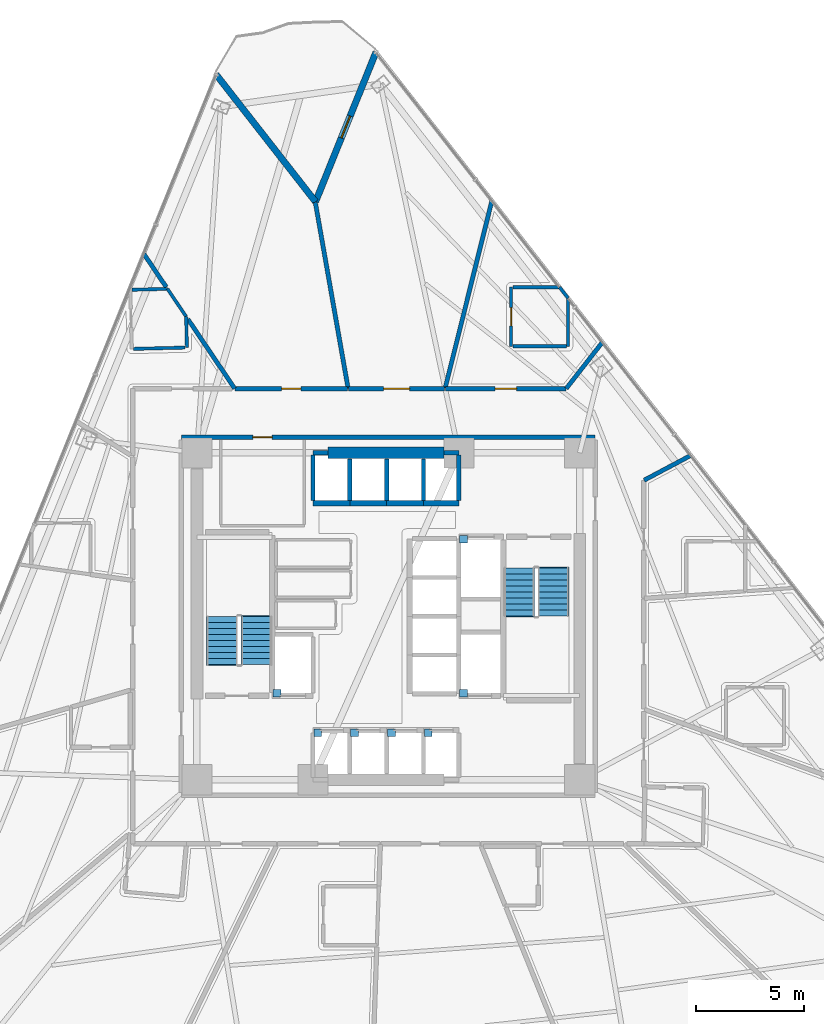
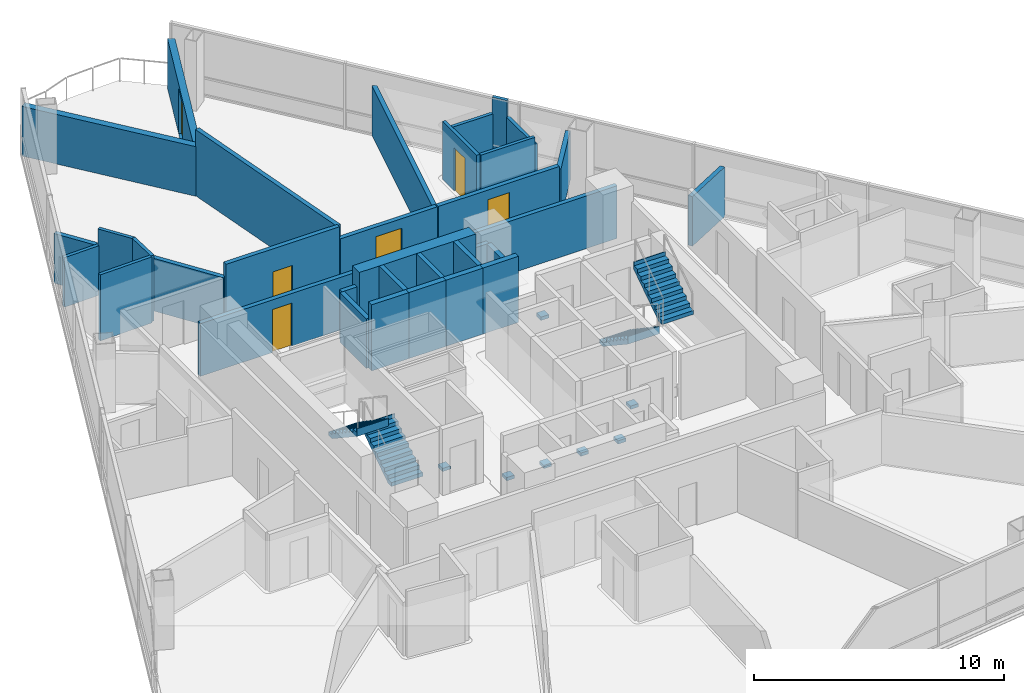
# One storey, part 10 of 15: 33 walls, 7 discrete accessories, 6 doors, 4 stair flights, 6 openings, 2 elements without a shape of their own.
"""IFC4 building model written with IfcOpenShell, lengths in metres."""

from ifc_helpers import new_model, si_unit, direction, frame, frame_2d, origin, origin_2d, place, context, subcontext, project, spatial, polyline, rectangle, outline, extrude, material, layer, layer_set, type_object, element, fill, aggregate, save


model = new_model("IFC4")

# Units and contexts
model_context = context("Model", 3, precision=1e-05, world=origin(), true_north=direction((0.0, 1.0)))
body_context = subcontext(model_context, "Body", "Model", "MODEL_VIEW")
ifc_project = project(units=[si_unit("LENGTHUNIT", "METRE"), si_unit("AREAUNIT", "SQUARE_METRE"), si_unit("VOLUMEUNIT", "CUBIC_METRE"), si_unit("PLANEANGLEUNIT", "RADIAN"), si_unit("MASSUNIT", "GRAM", prefix="KILO")], contexts=[model_context])

# Site, building, storey
site_placement = place(None, origin())
site = spatial("IfcSite", under=ifc_project, at=site_placement, CompositionType="ELEMENT")
building_placement = place(site_placement, origin())
building = spatial("IfcBuilding", under=site, at=building_placement, Name="Tharavind Bronze Gate", CompositionType="ELEMENT")
storey_placement = place(building_placement, frame((0.0, 0.0, 60.449951171875)))
storey = spatial("IfcBuildingStorey", under=building, at=storey_placement, Name="L14", CompositionType="ELEMENT", Elevation=60.449951171875)

# Wall, opening, door
ifc_material_1 = material(Name="Concrete C40/50", Category="concrete")
ifc_layer_1 = layer(ifc_material_1, 0.300048828125)
ifc_layer_set_1 = layer_set([ifc_layer_1], Name="Concrete C40/50")
wall_type_1 = type_object("IfcWallType", Name="EXTERIOR SPANDREL WALL 300", PredefinedType="STANDARD", material=ifc_layer_set_1)
wall_1_placement = place(storey_placement, frame((-0.57373046875, 26.226806640625, 0.0), z_axis=(0.0, 0.0, 1.0), x_axis=(-0.374609979755, -0.92718248639, 0.0)))
wall_1 = element("IfcWall", 1, at=wall_1_placement, inside=storey, type_object=wall_type_1, Name="L14 notch cheek wall 1A", PredefinedType="STANDARD", context=body_context, shape_type="SweptSolid", body=[
    extrude(rectangle(XDim=7.5, YDim=0.300048828125, at=frame_2d((3.75, 0.0))), origin(), (0.0, 0.0, 1.0), 2.420166015625),
])
opening_1_placement = place(wall_1_placement, frame((3.199951171875, 0.0, 0.0)))
opening_1 = element("IfcOpeningElement", 2, at=opening_1_placement, cuts=wall_1, Name="Opening ED04", PredefinedType="OPENING", context=body_context, shape_type="SweptSolid", body=[
    extrude(rectangle(XDim=1.10009765625, YDim=2.199951171875, at=frame_2d((0.550048828125, 1.10009765625))), frame((0.0, 0.15990234375, 0.0), z_axis=(0.0, -1.0, 0.0), x_axis=(1.0, 0.0, 0.0)), (0.0, 0.0, 1.0), 0.320048828125),
])
ifc_material_2 = material(Name="Bronze Aluminium & Toughened Glass", Category="aluminium")
door_type_1 = type_object("IfcDoorType", Name="TREE BALCONY ACCESS DOOR 1100X2200", OperationType="SINGLE_SWING_LEFT", PredefinedType="DOOR", material=ifc_material_2)
door_1_placement = place(opening_1_placement, origin())
door_1 = element("IfcDoor", 3, at=door_1_placement, inside=storey, type_object=door_type_1, Name="L14 tree balcony access door", OperationType="SINGLE_SWING_LEFT", OverallHeight=2.199951171875, OverallWidth=1.10009765625, PredefinedType="DOOR", context=body_context, shape_type="SweptSolid", body=[
    extrude(rectangle(XDim=1.10009765625, YDim=2.199951171875, at=frame_2d((0.550048828125, 1.10009765625))), frame((0.0, 0.02490234375, 0.0), z_axis=(0.0, -1.0, 0.0), x_axis=(1.0, 0.0, 0.0)), (0.0, 0.0, 1.0), 0.050048828125),
])
fill(opening_1, door_1)

# Wall
wall_2_placement = place(storey_placement, frame((-3.38330078125, 19.27294921875, 0.0), z_axis=(0.0, 0.0, 1.0), x_axis=(-0.615654149001, 0.788016477504, 0.0)))
element("IfcWall", 4, at=wall_2_placement, inside=storey, type_object=wall_type_1, Name="L14 notch cheek wall 1B", PredefinedType="STANDARD", context=body_context, shape_type="SweptSolid", body=[
    extrude(rectangle(XDim=7.5, YDim=0.300048828125, at=frame_2d((3.75, 0.0))), origin(), (0.0, 0.0, 1.0), 2.420166015625),
])

# Wall, opening, door
ifc_material_3 = material(Name="Aerated Concrete Block", Category="concrete")
ifc_layer_2 = layer(ifc_material_3, 0.199951171875)
ifc_layer_set_2 = layer_set([ifc_layer_2], Name="Aerated Concrete Block")
wall_type_2 = type_object("IfcWallType", Name="FIRE RATED PARTITION 200", PredefinedType="PARTITIONING", material=ifc_layer_set_2)
wall_3_placement = place(storey_placement, frame((9.6201171875, 8.320068359375, 0.0), z_axis=(0.0, 0.0, 1.0), x_axis=(-1.0, 0.0, 0.0)))
wall_3 = element("IfcWall", 5, at=wall_3_placement, inside=storey, type_object=wall_type_2, Name="L14 north core corridor wall", PredefinedType="PARTITIONING", context=body_context, shape_type="SweptSolid", body=[
    extrude(rectangle(XDim=19.240234375, YDim=0.199951171875, at=frame_2d((9.6201171875, 0.0))), origin(), (0.0, 0.0, 1.0), 2.570068359375),
])
opening_2_placement = place(wall_3_placement, frame((15.02001953125, 0.0, 0.0)))
opening_2 = element("IfcOpeningElement", 6, at=opening_2_placement, cuts=wall_3, Name="Opening ID07", PredefinedType="OPENING", context=body_context, shape_type="SweptSolid", body=[
    extrude(rectangle(XDim=0.89990234375, YDim=2.10009765625, at=frame_2d((0.449951171875, 1.050048828125))), frame((0.0, 0.11009765625, 0.0), z_axis=(0.0, -1.0, 0.0), x_axis=(1.0, 0.0, 0.0)), (0.0, 0.0, 1.0), 0.219951171875),
])
ifc_material_4 = material(Name="Galvanised Fire Steel", Category="steel")
door_type_2 = type_object("IfcDoorType", Name="PLANT AND RISER FIRE DOOR 900X2100", OperationType="SINGLE_SWING_LEFT", PredefinedType="DOOR", material=ifc_material_4)
door_2_placement = place(opening_2_placement, frame((0.89990234375, 0.0, 0.0), z_axis=(0.0, 0.0, 1.0), x_axis=(-1.0, 0.0, 0.0)))
door_2 = element("IfcDoor", 7, at=door_2_placement, inside=storey, type_object=door_type_2, Name="L14 Electrical Switch Room fire door", OperationType="SINGLE_SWING_LEFT", OverallHeight=2.10009765625, OverallWidth=0.89990234375, PredefinedType="DOOR", context=body_context, shape_type="SweptSolid", body=[
    extrude(rectangle(XDim=0.89990234375, YDim=2.10009765625, at=frame_2d((0.449951171875, 1.050048828125))), frame((0.0, 0.02490234375, 0.0), z_axis=(0.0, -1.0, 0.0), x_axis=(1.0, 0.0, 0.0)), (0.0, 0.0, 1.0), 0.050048828125),
])
fill(opening_2, door_2)

# Walls
wall_4_placement = place(storey_placement, frame((11.893310546875, 6.32373046875, 0.0), z_axis=(0.0, 0.0, 1.0), x_axis=(0.882926972808, 0.469510341407, 0.0)))
element("IfcWall", 8, at=wall_4_placement, inside=storey, type_object=wall_type_2, Name="L14 Royal Hotel Suite partition", PredefinedType="PARTITIONING", context=body_context, shape_type="SweptSolid", body=[
    extrude(rectangle(XDim=2.446044921875, YDim=0.199951171875, at=frame_2d((1.22314453125, 0.0))), origin(), (0.0, 0.0, 1.0), 2.420166015625),
])
wall_5_placement = place(storey_placement, frame((9.946533203125, 12.73095703125, 0.0), z_axis=(0.0, 0.0, 1.0), x_axis=(-0.615680653303, -0.787995769753, 0.0)))
element("IfcWall", 9, at=wall_5_placement, inside=storey, type_object=wall_type_2, Name="L14 Hotel Deluxe Room partition", PredefinedType="PARTITIONING", context=body_context, shape_type="SweptSolid", body=[
    extrude(rectangle(XDim=2.717529296875, YDim=0.199951171875, at=frame_2d((1.35888671875, 0.0))), origin(), (0.0, 0.0, 1.0), 2.420166015625),
])

# Wall, opening, door
wall_6_placement = place(storey_placement, frame((8.25390625, 10.580078125, 0.0), z_axis=(0.0, 0.0, 1.0), x_axis=(-1.0, 0.0, 0.0)))
wall_6 = element("IfcWall", 10, at=wall_6_placement, inside=storey, type_object=wall_type_2, Name="L14 Hotel Deluxe Room partition", PredefinedType="PARTITIONING", context=body_context, shape_type="SweptSolid", body=[
    extrude(rectangle(XDim=5.583984375, YDim=0.199951171875, at=frame_2d((2.7919921875, 0.0))), origin(), (0.0, 0.0, 1.0), 2.6201171875),
])
opening_3_placement = place(wall_6_placement, frame((2.2919921875, 0.0, 0.0)))
opening_3 = element("IfcOpeningElement", 11, at=opening_3_placement, cuts=wall_6, Name="Opening ID03", PredefinedType="OPENING", context=body_context, shape_type="SweptSolid", body=[
    extrude(rectangle(XDim=1.0, YDim=2.14990234375, at=frame_2d((0.5, 1.074951171875))), frame((0.0, 0.11009765625, 0.0), z_axis=(0.0, -1.0, 0.0), x_axis=(1.0, 0.0, 0.0)), (0.0, 0.0, 1.0), 0.219951171875),
])
ifc_material_5 = material(Name="Solid Timber Veneer", Category="wood")
door_type_3 = type_object("IfcDoorType", Name="HOTEL SUITE ENTRANCE DOOR 1000X2150", OperationType="SINGLE_SWING_LEFT", PredefinedType="DOOR", material=ifc_material_5)
door_3_placement = place(opening_3_placement, origin())
door_3 = element("IfcDoor", 12, at=door_3_placement, inside=storey, type_object=door_type_3, Name="L14 Hotel Deluxe Room door", OperationType="SINGLE_SWING_LEFT", OverallHeight=2.14990234375, OverallWidth=1.0, PredefinedType="DOOR", context=body_context, shape_type="SweptSolid", body=[
    extrude(rectangle(XDim=1.0, YDim=2.14990234375, at=frame_2d((0.5, 1.074951171875))), frame((0.0, 0.02490234375, 0.0), z_axis=(0.0, -1.0, 0.0), x_axis=(1.0, 0.0, 0.0)), (0.0, 0.0, 1.0), 0.050048828125),
])
fill(opening_3, door_3)

# Wall
wall_7_placement = place(storey_placement, frame((2.6455078125, 10.611083984375, 0.0), z_axis=(0.0, 0.0, 1.0), x_axis=(0.241940721885, 0.970291032162, 0.0)))
element("IfcWall", 13, at=wall_7_placement, inside=storey, type_object=wall_type_2, Name="L14 Hotel Deluxe Room partition", PredefinedType="PARTITIONING", context=body_context, shape_type="SweptSolid", body=[
    extrude(rectangle(XDim=8.98095703125, YDim=0.199951171875, at=frame_2d((4.490478515625, 0.0))), origin(), (0.0, 0.0, 1.0), 2.420166015625),
])

# Wall, opening, door
wall_8_placement = place(storey_placement, frame((2.618408203125, 10.580078125, 0.0), z_axis=(0.0, 0.0, 1.0), x_axis=(-1.0, 0.0, 0.0)))
wall_8 = element("IfcWall", 14, at=wall_8_placement, inside=storey, type_object=wall_type_2, Name="L14 Hotel Guest Lounge partition", PredefinedType="PARTITIONING", context=body_context, shape_type="SweptSolid", body=[
    extrude(rectangle(XDim=4.462890625, YDim=0.199951171875, at=frame_2d((2.2314453125, 0.0))), origin(), (0.0, 0.0, 1.0), 2.6201171875),
])
opening_4_placement = place(wall_8_placement, frame((1.631103515625, 0.0, 0.0)))
opening_4 = element("IfcOpeningElement", 15, at=opening_4_placement, cuts=wall_8, Name="Opening ID05", PredefinedType="OPENING", context=body_context, shape_type="SweptSolid", body=[
    extrude(rectangle(XDim=1.199951171875, YDim=2.14990234375, at=frame_2d((0.60009765625, 1.074951171875))), frame((0.0, 0.11009765625, 0.0), z_axis=(0.0, -1.0, 0.0), x_axis=(1.0, 0.0, 0.0)), (0.0, 0.0, 1.0), 0.219951171875),
])
ifc_material_6 = material(Name="Acoustic Laminated Glass", Category="glass")
door_type_4 = type_object("IfcDoorType", Name="MEETING ROOM GLAZED DOOR 1200X2150", OperationType="SINGLE_SWING_LEFT", PredefinedType="DOOR", material=ifc_material_6)
door_4_placement = place(opening_4_placement, origin())
door_4 = element("IfcDoor", 16, at=door_4_placement, inside=storey, type_object=door_type_4, Name="L14 Hotel Guest Lounge door", OperationType="SINGLE_SWING_LEFT", OverallHeight=2.14990234375, OverallWidth=1.199951171875, PredefinedType="DOOR", context=body_context, shape_type="SweptSolid", body=[
    extrude(rectangle(XDim=1.199951171875, YDim=2.14990234375, at=frame_2d((0.60009765625, 1.074951171875))), frame((0.0, 0.02490234375, 0.0), z_axis=(0.0, -1.0, 0.0), x_axis=(1.0, 0.0, 0.0)), (0.0, 0.0, 1.0), 0.050048828125),
])
fill(opening_4, door_4)

# Wall
wall_9_placement = place(storey_placement, frame((-1.869140625, 10.6005859375, 0.0), z_axis=(0.0, 0.0, 1.0), x_axis=(-0.173639404774, 0.98480929987, 0.0)))
element("IfcWall", 17, at=wall_9_placement, inside=storey, type_object=wall_type_2, Name="L14 Hotel Guest Lounge partition", PredefinedType="PARTITIONING", context=body_context, shape_type="SweptSolid", body=[
    extrude(rectangle(XDim=8.780517578125, YDim=0.199951171875, at=frame_2d((4.39013671875, 0.0))), origin(), (0.0, 0.0, 1.0), 3.22509765625),
])

# Wall, opening, door
wall_10_placement = place(storey_placement, frame((-1.895263671875, 10.580078125, 0.0), z_axis=(0.0, 0.0, 1.0), x_axis=(-1.0, 0.0, 0.0)))
wall_10 = element("IfcWall", 18, at=wall_10_placement, inside=storey, type_object=wall_type_2, Name="L14 Housekeeping & Linen Room partition", PredefinedType="PARTITIONING", context=body_context, shape_type="SweptSolid", body=[
    extrude(rectangle(XDim=5.227783203125, YDim=0.199951171875, at=frame_2d((2.61376953125, 0.0))), origin(), (0.0, 0.0, 1.0), 3.22509765625),
])
opening_5_placement = place(wall_10_placement, frame((2.1640625, 0.0, 0.0)))
opening_5 = element("IfcOpeningElement", 19, at=opening_5_placement, cuts=wall_10, Name="Opening ID07", PredefinedType="OPENING", context=body_context, shape_type="SweptSolid", body=[
    extrude(rectangle(XDim=0.89990234375, YDim=2.10009765625, at=frame_2d((0.449951171875, 1.050048828125))), frame((0.0, 0.11009765625, 0.0), z_axis=(0.0, -1.0, 0.0), x_axis=(1.0, 0.0, 0.0)), (0.0, 0.0, 1.0), 0.219951171875),
])
door_5_placement = place(opening_5_placement, origin())
door_5 = element("IfcDoor", 20, at=door_5_placement, inside=storey, type_object=door_type_2, Name="L14 Housekeeping & Linen Room door", OperationType="SINGLE_SWING_LEFT", OverallHeight=2.10009765625, OverallWidth=0.89990234375, PredefinedType="DOOR", context=body_context, shape_type="SweptSolid", body=[
    extrude(rectangle(XDim=0.89990234375, YDim=2.10009765625, at=frame_2d((0.449951171875, 1.050048828125))), frame((0.0, 0.02490234375, 0.0), z_axis=(0.0, -1.0, 0.0), x_axis=(1.0, 0.0, 0.0)), (0.0, 0.0, 1.0), 0.050048828125),
])
fill(opening_5, door_5)

# Walls
wall_11_placement = place(storey_placement, frame((-7.143798828125, 10.591064453125, 0.0), z_axis=(0.0, 0.0, 1.0), x_axis=(-0.559171794076, 0.829051810631, 0.0)))
element("IfcWall", 21, at=wall_11_placement, inside=storey, type_object=wall_type_2, Name="L14 Housekeeping & Linen Room partition", PredefinedType="PARTITIONING", context=body_context, shape_type="SweptSolid", body=[
    extrude(rectangle(XDim=3.88623046875, YDim=0.199951171875, at=frame_2d((1.943115234375, 0.0))), origin(), (0.0, 0.0, 1.0), 2.570068359375),
])
wall_12_placement = place(storey_placement, frame((-10.321044921875, 15.3017578125, 0.0), z_axis=(0.0, 0.0, 1.0), x_axis=(-0.559274091042, 0.828982805062, 0.0)))
element("IfcWall", 22, at=wall_12_placement, inside=storey, type_object=wall_type_2, Name="L14 Housekeeping & Linen Room partition", PredefinedType="PARTITIONING", context=body_context, shape_type="SweptSolid", body=[
    extrude(rectangle(XDim=1.856689453125, YDim=0.199951171875, at=frame_2d((0.92822265625, 0.0))), origin(), (0.0, 0.0, 1.0), 2.420166015625),
])

# Wall, opening, door
ifc_material_7 = material(Name="Twin Stud Acoustic Gypsum", Category="gypsum")
ifc_layer_3 = layer(ifc_material_7, 0.14990234375)
ifc_layer_set_3 = layer_set([ifc_layer_3], Name="Twin Stud Acoustic Gypsum")
wall_type_3 = type_object("IfcWallType", Name="INTERIOR PARTITION WALL 150", PredefinedType="PARTITIONING", material=ifc_layer_set_3)
wall_13_placement = place(storey_placement, frame((5.709716796875, 12.550048828125, 0.0), z_axis=(0.0, 0.0, 1.0), x_axis=(0.0, 1.0, 0.0)))
wall_13 = element("IfcWall", 23, at=wall_13_placement, inside=storey, type_object=wall_type_3, Name="L14 En-Suite Bathroom partition", PredefinedType="PARTITIONING", context=body_context, shape_type="SweptSolid", body=[
    extrude(rectangle(XDim=2.75, YDim=0.14990234375, at=frame_2d((1.375, 0.0))), origin(), (0.0, 0.0, 1.0), 2.820068359375),
])
opening_6_placement = place(wall_13_placement, frame((0.949951171875, 0.0, 0.0)))
opening_6 = element("IfcOpeningElement", 24, at=opening_6_placement, cuts=wall_13, Name="Opening ID06", PredefinedType="OPENING", context=body_context, shape_type="SweptSolid", body=[
    extrude(rectangle(XDim=0.85009765625, YDim=2.10009765625, at=frame_2d((0.425048828125, 1.050048828125))), frame((0.0, 0.084951171875, 0.0), z_axis=(0.0, -1.0, 0.0), x_axis=(1.0, 0.0, 0.0)), (0.0, 0.0, 1.0), 0.16990234375),
])
ifc_material_8 = material(Name="Moisture-Resistant Timber", Category="wood")
door_type_5 = type_object("IfcDoorType", Name="BATHROOM PRIVACY DOOR 850X2100", OperationType="SINGLE_SWING_RIGHT", PredefinedType="DOOR", material=ifc_material_8)
door_6_placement = place(opening_6_placement, origin())
door_6 = element("IfcDoor", 25, at=door_6_placement, inside=storey, type_object=door_type_5, Name="L14 En-Suite Bathroom door", OperationType="SINGLE_SWING_RIGHT", OverallHeight=2.10009765625, OverallWidth=0.85009765625, PredefinedType="DOOR", context=body_context, shape_type="SweptSolid", body=[
    extrude(rectangle(XDim=0.85009765625, YDim=2.10009765625, at=frame_2d((0.425048828125, 1.050048828125))), frame((0.0, 0.02490234375, 0.0), z_axis=(0.0, -1.0, 0.0), x_axis=(1.0, 0.0, 0.0)), (0.0, 0.0, 1.0), 0.050048828125),
])
fill(opening_6, door_6)

# Walls
wall_14_placement = place(storey_placement, frame((5.789794921875, 15.300048828125, 0.0), z_axis=(0.0, 0.0, 1.0), x_axis=(1.0, 0.0, 0.0)))
element("IfcWall", 26, at=wall_14_placement, inside=storey, type_object=wall_type_3, Name="L14 En-Suite Bathroom partition", PredefinedType="PARTITIONING", context=body_context, shape_type="SweptSolid", body=[
    extrude(rectangle(XDim=2.173583984375, YDim=0.14990234375, at=frame_2d((1.0869140625, 0.0))), origin(), (0.0, 0.0, 1.0), 2.420166015625),
])
wall_15_placement = place(storey_placement, frame((7.96337890625, 15.300048828125, 0.0), z_axis=(0.0, 0.0, 1.0), x_axis=(0.615592549259, -0.788064599698, 0.0)))
element("IfcWall", 27, at=wall_15_placement, inside=storey, type_object=wall_type_3, Name="L14 En-Suite Bathroom partition", PredefinedType="PARTITIONING", context=body_context, shape_type="SweptSolid", body=[
    extrude(rectangle(XDim=0.64404296875, YDim=0.14990234375, at=frame_2d((0.322021484375, 0.0))), origin(), (0.0, 0.0, 1.0), 3.22509765625),
])
wall_16_placement = place(storey_placement, frame((8.35986328125, 14.79248046875, 0.0), z_axis=(0.0, 0.0, 1.0), x_axis=(0.0, -1.0, 0.0)))
element("IfcWall", 28, at=wall_16_placement, inside=storey, type_object=wall_type_3, Name="L14 En-Suite Bathroom partition", PredefinedType="PARTITIONING", context=body_context, shape_type="SweptSolid", body=[
    extrude(rectangle(XDim=2.242431640625, YDim=0.14990234375, at=frame_2d((1.12109375, 0.0))), origin(), (0.0, 0.0, 1.0), 2.420166015625),
])
wall_17_placement = place(storey_placement, frame((8.27978515625, 12.550048828125, 0.0), z_axis=(0.0, 0.0, 1.0), x_axis=(-1.0, 0.0, 0.0)))
element("IfcWall", 29, at=wall_17_placement, inside=storey, type_object=wall_type_3, Name="L14 En-Suite Bathroom partition", PredefinedType="PARTITIONING", context=body_context, shape_type="SweptSolid", body=[
    extrude(rectangle(XDim=2.489990234375, YDim=0.14990234375, at=frame_2d((1.2451171875, 0.0))), origin(), (0.0, 0.0, 1.0), 2.820068359375),
])
wall_18_placement = place(storey_placement, frame((-11.91845703125, 15.180419921875, 0.0), z_axis=(0.0, 0.0, 1.0), x_axis=(0.999668899852, 0.02573112257, 0.0)))
element("IfcWall", 30, at=wall_18_placement, inside=storey, type_object=wall_type_3, Name="L14 En-Suite Bathroom partition", PredefinedType="PARTITIONING", context=body_context, shape_type="SweptSolid", body=[
    extrude(rectangle(XDim=1.65087890625, YDim=0.14990234375, at=frame_2d((0.825439453125, 0.0))), origin(), (0.0, 0.0, 1.0), 2.420166015625),
])
wall_19_placement = place(storey_placement, frame((-10.26806640625, 15.222900390625, 0.0), z_axis=(0.0, 0.0, 1.0), x_axis=(0.559229675695, -0.82901276819, 0.0)))
element("IfcWall", 31, at=wall_19_placement, inside=storey, type_object=wall_type_3, Name="L14 En-Suite Bathroom partition", PredefinedType="PARTITIONING", context=body_context, shape_type="SweptSolid", body=[
    extrude(rectangle(XDim=1.552001953125, YDim=0.14990234375, at=frame_2d((0.77587890625, 0.0))), origin(), (0.0, 0.0, 1.0), 3.22509765625),
])
wall_20_placement = place(storey_placement, frame((-9.400146484375, 13.936279296875, 0.0), z_axis=(0.0, 0.0, 1.0), x_axis=(0.025745445057, -0.999668531094, 0.0)))
element("IfcWall", 32, at=wall_20_placement, inside=storey, type_object=wall_type_3, Name="L14 En-Suite Bathroom partition", PredefinedType="PARTITIONING", context=body_context, shape_type="SweptSolid", body=[
    extrude(rectangle(XDim=1.44140625, YDim=0.14990234375, at=frame_2d((0.720703125, 0.0))), origin(), (0.0, 0.0, 1.0), 3.22509765625),
])
wall_21_placement = place(storey_placement, frame((-9.443115234375, 12.493408203125, 0.0), z_axis=(0.0, 0.0, 1.0), x_axis=(-0.999667618691, -0.025780848324, 0.0)))
element("IfcWall", 33, at=wall_21_placement, inside=storey, type_object=wall_type_3, Name="L14 En-Suite Bathroom partition", PredefinedType="PARTITIONING", context=body_context, shape_type="SweptSolid", body=[
    extrude(rectangle(XDim=2.4052734375, YDim=0.14990234375, at=frame_2d((1.20263671875, 0.0))), origin(), (0.0, 0.0, 1.0), 3.22509765625),
])
ifc_material_9 = material(Name="Concrete C50/60", Category="concrete")
ifc_layer_4 = layer(ifc_material_9, 0.25)
ifc_layer_set_4 = layer_set([ifc_layer_4], Name="Concrete C50/60")
wall_type_4 = type_object("IfcWallType", Name="RC CORE SHEAR WALL 250", PredefinedType="SHEAR", material=ifc_layer_set_4)
wall_22_placement = place(storey_placement, frame((-3.5, 5.25, 0.0), z_axis=(0.0, 0.0, 1.0), x_axis=(1.0, 0.0, 0.0)))
element("IfcWall", 34, at=wall_22_placement, inside=storey, type_object=wall_type_4, Name="L14 lift PL5 shaft front wall", PredefinedType="SHEAR", context=body_context, shape_type="SweptSolid", body=[
    extrude(rectangle(XDim=1.71240234375, YDim=0.25, at=frame_2d((0.856201171875, 0.0))), origin(), (0.0, 0.0, 1.0), 3.22509765625),
])
wall_23_placement = place(storey_placement, frame((-1.78759765625, 5.25, 0.0), z_axis=(0.0, 0.0, 1.0), x_axis=(1.0, 0.0, 0.0)))
element("IfcWall", 35, at=wall_23_placement, inside=storey, type_object=wall_type_4, Name="L14 lift PL6 shaft front wall", PredefinedType="SHEAR", context=body_context, shape_type="SweptSolid", body=[
    extrude(rectangle(XDim=1.712646484375, YDim=0.25, at=frame_2d((0.8564453125, 0.0))), origin(), (0.0, 0.0, 1.0), 3.22509765625),
])
wall_24_placement = place(storey_placement, frame((-0.074951171875, 5.25, 0.0), z_axis=(0.0, 0.0, 1.0), x_axis=(1.0, 0.0, 0.0)))
element("IfcWall", 36, at=wall_24_placement, inside=storey, type_object=wall_type_4, Name="L14 lift PL7 shaft front wall", PredefinedType="SHEAR", context=body_context, shape_type="SweptSolid", body=[
    extrude(rectangle(XDim=1.71240234375, YDim=0.25, at=frame_2d((0.856201171875, 0.0))), origin(), (0.0, 0.0, 1.0), 3.22509765625),
])
wall_25_placement = place(storey_placement, frame((1.637451171875, 5.25, 0.0), z_axis=(0.0, 0.0, 1.0), x_axis=(1.0, 0.0, 0.0)))
element("IfcWall", 37, at=wall_25_placement, inside=storey, type_object=wall_type_4, Name="L14 lift PL8 shaft front wall", PredefinedType="SHEAR", context=body_context, shape_type="SweptSolid", body=[
    extrude(rectangle(XDim=1.642578125, YDim=0.25, at=frame_2d((0.8212890625, 0.0))), origin(), (0.0, 0.0, 1.0), 3.22509765625),
])
ifc_material_10 = material(Name="Concrete C60/75", Category="concrete")
ifc_layer_5 = layer(ifc_material_10, 0.550048828125)
ifc_layer_set_5 = layer_set([ifc_layer_5], Name="Concrete C60/75")
wall_type_5 = type_object("IfcWallType", Name="RC CORE SHEAR WALL 550", PredefinedType="SHEAR", material=ifc_layer_set_5)
wall_26_placement = place(storey_placement, frame((-2.800048828125, 7.60009765625, 0.0), z_axis=(0.0, 0.0, 1.0), x_axis=(1.0, 0.0, 0.0)))
element("IfcWall", 38, at=wall_26_placement, inside=storey, type_object=wall_type_5, Name="L14 north core shear wall", PredefinedType="SHEAR", context=body_context, shape_type="SweptSolid", body=[
    extrude(rectangle(XDim=5.380126953125, YDim=0.550048828125, at=frame_2d((2.68994140625, 0.0))), origin(), (0.0, 0.0, 1.0), 3.22509765625),
])
ifc_layer_6 = layer(ifc_material_1, 0.199951171875)
ifc_layer_set_6 = layer_set([ifc_layer_6], Name="Concrete C40/50")
wall_type_6 = type_object("IfcWallType", Name="SHAFT ENCLOSURE WALL 200", PredefinedType="PARTITIONING", material=ifc_layer_set_6)
wall_27_placement = place(storey_placement, frame((-3.5, 7.60009765625, 0.0), z_axis=(0.0, 0.0, 1.0), x_axis=(1.0, 0.0, 0.0)))
element("IfcWall", 39, at=wall_27_placement, inside=storey, type_object=wall_type_6, Name="L14 lift PL5 shaft N enclosure wall", PredefinedType="PARTITIONING", context=body_context, shape_type="SweptSolid", body=[
    extrude(rectangle(XDim=0.699951171875, YDim=0.199951171875, at=frame_2d((0.35009765625, 0.0))), origin(), (0.0, 0.0, 1.0), 2.420166015625),
])
wall_28_placement = place(storey_placement, frame((-3.5, 5.3798828125, 0.0), z_axis=(0.0, 0.0, 1.0), x_axis=(0.0, 1.0, 0.0)))
element("IfcWall", 40, at=wall_28_placement, inside=storey, type_object=wall_type_6, Name="L14 lift PL5 shaft W enclosure wall", PredefinedType="PARTITIONING", context=body_context, shape_type="SweptSolid", body=[
    extrude(rectangle(XDim=2.115234375, YDim=0.199951171875, at=frame_2d((1.0576171875, 0.0))), origin(), (0.0, 0.0, 1.0), 2.420166015625),
])
for number, where, z_axis, x_axis, name in (
    (41, (-1.78759765625, 5.3798828125, 0.0), (0.0, 0.0, 1.0), (0.0, 1.0, 0.0), "L14 lift PL5 shaft E enclosure wall"),
    (42, (-0.074951171875, 5.3798828125, 0.0), (0.0, 0.0, 1.0), (0.0, 1.0, 0.0), "L14 lift PL6 shaft E enclosure wall"),
    (43, (1.637451171875, 5.3798828125, 0.0), (0.0, 0.0, 1.0), (0.0, 1.0, 0.0), "L14 lift PL7 shaft E enclosure wall"),
):
    element("IfcWall", number, at=place(storey_placement, frame(where, z_axis=z_axis, x_axis=x_axis)), inside=storey, type_object=wall_type_6, Name=name, PredefinedType="PARTITIONING", context=body_context, shape_type="SweptSolid", body=[
        extrude(rectangle(XDim=1.940185546875, YDim=0.199951171875, at=frame_2d((0.97021484375, 0.0))), origin(), (0.0, 0.0, 1.0), 3.22509765625),
    ])
wall_29_placement = place(storey_placement, frame((2.580078125, 7.60009765625, 0.0), z_axis=(0.0, 0.0, 1.0), x_axis=(1.0, 0.0, 0.0)))
element("IfcWall", 44, at=wall_29_placement, inside=storey, type_object=wall_type_6, Name="L14 lift PL8 shaft N enclosure wall", PredefinedType="PARTITIONING", context=body_context, shape_type="SweptSolid", body=[
    extrude(rectangle(XDim=0.699951171875, YDim=0.199951171875, at=frame_2d((0.35009765625, 0.0))), origin(), (0.0, 0.0, 1.0), 2.420166015625),
])
wall_30_placement = place(storey_placement, frame((3.280029296875, 5.3798828125, 0.0), z_axis=(0.0, 0.0, 1.0), x_axis=(0.0, 1.0, 0.0)))
element("IfcWall", 45, at=wall_30_placement, inside=storey, type_object=wall_type_6, Name="L14 lift PL8 shaft E enclosure wall", PredefinedType="PARTITIONING", context=body_context, shape_type="SweptSolid", body=[
    extrude(rectangle(XDim=2.115234375, YDim=0.199951171875, at=frame_2d((1.0576171875, 0.0))), origin(), (0.0, 0.0, 1.0), 2.420166015625),
])

# Stair, stair flights
stair_type = type_object("IfcStairType", Name="CORE HALF TURN STAIR 1450", PredefinedType="HALF_TURN_STAIR", material=ifc_material_1)
stair_1_placement = place(storey_placement, origin())
stair_1 = element("IfcStair", 46, at=stair_1_placement, inside=storey, type_object=stair_type, Name="L14 Protected Exit Stair ST1", PredefinedType="HALF_TURN_STAIR")
stair_flight_type = type_object("IfcStairFlightType", Name="CORE STAIR FLIGHT 1450", PredefinedType="STRAIGHT", material=ifc_material_1)
stair_flight_1_placement = place(storey_placement, frame((-6.125, -2.25, 0.0), z_axis=(0.0, 0.0, 1.0), x_axis=(0.0, 1.0, 0.0)))
stair_flight_1 = element("IfcStairFlight", 47, at=stair_flight_1_placement, type_object=stair_flight_type, Name="ST1 flight 1", NumberOfRisers=9, NumberOfTreads=8, PredefinedType="STRAIGHT", RiserHeight=0.188888889, TreadLength=0.28, context=body_context, shape_type="SweptSolid", body=[
    extrude(outline(polyline([(0.0, 0.0), (0.0, 0.18896484375), (0.280029296875, 0.18896484375), (0.280029296875, 0.377685546875), (0.56005859375, 0.377685546875), (0.56005859375, 0.566650390625), (0.840087890625, 0.566650390625), (0.840087890625, 0.755615234375), (1.1201171875, 0.755615234375), (1.1201171875, 0.9443359375), (1.39990234375, 0.9443359375), (1.39990234375, 1.13330078125), (1.679931640625, 1.13330078125), (1.679931640625, 1.322265625), (1.9599609375, 1.322265625), (1.9599609375, 1.51123046875), (2.239990234375, 1.51123046875), (2.239990234375, 1.699951171875), (2.27587890625, 1.699951171875), (2.27587890625, 1.330322265625), (0.26806640625, 0.0), (0.0, 0.0)])), frame((0.0, 0.72509765625, 0.0), z_axis=(0.0, -1.0, 0.0), x_axis=(1.0, 0.0, 0.0)), (0.0, 0.0, 1.0), 1.449951171875),
])
stair_flight_2_placement = place(storey_placement, frame((-7.72509765625, -0.010009765625, 1.699951171875), z_axis=(0.0, 0.0, 1.0), x_axis=(0.0, -1.0, 0.0)))
stair_flight_2 = element("IfcStairFlight", 48, at=stair_flight_2_placement, type_object=stair_flight_type, Name="ST1 flight 2", NumberOfRisers=9, NumberOfTreads=8, PredefinedType="STRAIGHT", RiserHeight=0.188888889, TreadLength=0.28, context=body_context, shape_type="SweptSolid", body=[
    extrude(outline(polyline([(0.0, 0.0), (0.0, 0.18896484375), (0.280029296875, 0.18896484375), (0.280029296875, 0.377685546875), (0.56005859375, 0.377685546875), (0.56005859375, 0.566650390625), (0.840087890625, 0.566650390625), (0.840087890625, 0.755615234375), (1.1201171875, 0.755615234375), (1.1201171875, 0.9443359375), (1.39990234375, 0.9443359375), (1.39990234375, 1.13330078125), (1.679931640625, 1.13330078125), (1.679931640625, 1.322265625), (1.9599609375, 1.322265625), (1.9599609375, 1.51123046875), (2.239990234375, 1.51123046875), (2.239990234375, 1.699951171875), (2.27587890625, 1.699951171875), (2.27587890625, 1.330322265625), (0.26806640625, 0.0), (0.0, 0.0)])), frame((0.0, 0.72509765625, 0.0), z_axis=(0.0, -1.0, 0.0), x_axis=(1.0, 0.0, 0.0)), (0.0, 0.0, 1.0), 1.449951171875),
])
aggregate(stair_1, [stair_flight_1, stair_flight_2])

stair_2_placement = place(storey_placement, origin())
stair_2 = element("IfcStair", 49, at=stair_2_placement, inside=storey, type_object=stair_type, Name="L14 Protected Exit Stair ST2", PredefinedType="HALF_TURN_STAIR")
stair_flight_3_placement = place(storey_placement, frame((6.074951171875, 2.25, 0.0), z_axis=(0.0, 0.0, 1.0), x_axis=(0.0, -1.0, 0.0)))
stair_flight_3 = element("IfcStairFlight", 50, at=stair_flight_3_placement, type_object=stair_flight_type, Name="ST2 flight 1", NumberOfRisers=9, NumberOfTreads=8, PredefinedType="STRAIGHT", RiserHeight=0.188888889, TreadLength=0.28, context=body_context, shape_type="SweptSolid", body=[
    extrude(outline(polyline([(0.0, 0.0), (0.0, 0.18896484375), (0.280029296875, 0.18896484375), (0.280029296875, 0.377685546875), (0.56005859375, 0.377685546875), (0.56005859375, 0.566650390625), (0.840087890625, 0.566650390625), (0.840087890625, 0.755615234375), (1.1201171875, 0.755615234375), (1.1201171875, 0.9443359375), (1.39990234375, 0.9443359375), (1.39990234375, 1.13330078125), (1.679931640625, 1.13330078125), (1.679931640625, 1.322265625), (1.9599609375, 1.322265625), (1.9599609375, 1.51123046875), (2.239990234375, 1.51123046875), (2.239990234375, 1.699951171875), (2.27587890625, 1.699951171875), (2.27587890625, 1.330322265625), (0.26806640625, 0.0), (0.0, 0.0)])), frame((0.0, 0.72509765625, 0.0), z_axis=(0.0, -1.0, 0.0), x_axis=(1.0, 0.0, 0.0)), (0.0, 0.0, 1.0), 1.449951171875),
])
stair_flight_4_placement = place(storey_placement, frame((7.675048828125, 0.010009765625, 1.699951171875), z_axis=(0.0, 0.0, 1.0), x_axis=(0.0, 1.0, 0.0)))
stair_flight_4 = element("IfcStairFlight", 51, at=stair_flight_4_placement, type_object=stair_flight_type, Name="ST2 flight 2", NumberOfRisers=9, NumberOfTreads=8, PredefinedType="STRAIGHT", RiserHeight=0.188888889, TreadLength=0.28, context=body_context, shape_type="SweptSolid", body=[
    extrude(outline(polyline([(0.0, 0.0), (0.0, 0.18896484375), (0.280029296875, 0.18896484375), (0.280029296875, 0.377685546875), (0.56005859375, 0.377685546875), (0.56005859375, 0.566650390625), (0.840087890625, 0.566650390625), (0.840087890625, 0.755615234375), (1.1201171875, 0.755615234375), (1.1201171875, 0.9443359375), (1.39990234375, 0.9443359375), (1.39990234375, 1.13330078125), (1.679931640625, 1.13330078125), (1.679931640625, 1.322265625), (1.9599609375, 1.322265625), (1.9599609375, 1.51123046875), (2.239990234375, 1.51123046875), (2.239990234375, 1.699951171875), (2.27587890625, 1.699951171875), (2.27587890625, 1.330322265625), (0.26806640625, 0.0), (0.0, 0.0)])), frame((0.0, 0.72509765625, 0.0), z_axis=(0.0, -1.0, 0.0), x_axis=(1.0, 0.0, 0.0)), (0.0, 0.0, 1.0), 1.449951171875),
])
aggregate(stair_2, [stair_flight_3, stair_flight_4])

# Discrete accessories
ifc_material_11 = material(Name="Galvanised Steel S355", Category="steel")
discrete_accessory_type = type_object("IfcDiscreteAccessoryType", Name="LIFT GUIDE RAIL BRACKET", PredefinedType="BRACKET", material=ifc_material_11)
for number, where, z_axis, x_axis, name in (
    (52, (-3.280029296875, -5.419921875, 1.1201171875), (0.0, 0.0, 1.0), (1.0, 0.0, 0.0), "Lift PL1 guide rail bracket at L14"),
    (53, (-1.5673828125, -5.419921875, 1.1201171875), (0.0, 0.0, 1.0), (1.0, 0.0, 0.0), "Lift PL2 guide rail bracket at L14"),
    (54, (0.14501953125, -5.419921875, 1.1201171875), (0.0, 0.0, 1.0), (1.0, 0.0, 0.0), "Lift PL3 guide rail bracket at L14"),
    (55, (1.857421875, -5.419921875, 1.1201171875), (0.0, 0.0, 1.0), (1.0, 0.0, 0.0), "Lift PL4 guide rail bracket at L14"),
    (56, (-5.179931640625, -3.580078125, 1.1201171875), (0.0, 0.0, 1.0), (1.0, 0.0, 0.0), "Lift FFL1 guide rail bracket at L14"),
    (57, (3.5, 3.580078125, 1.1201171875), (0.0, 0.0, 1.0), (1.0, 0.0, 0.0), "Lift FFL2 guide rail bracket at L14"),
    (58, (3.5, -3.580078125, 1.1201171875), (0.0, 0.0, 1.0), (1.0, 0.0, 0.0), "Lift SVL1 guide rail bracket at L14"),
):
    element("IfcDiscreteAccessory", number, at=place(storey_placement, frame(where, z_axis=z_axis, x_axis=x_axis)), inside=storey, type_object=discrete_accessory_type, Name=name, PredefinedType="BRACKET", context=body_context, shape_type="SweptSolid", body=[
        extrude(rectangle(XDim=0.360107421875, YDim=0.360107421875, at=origin_2d()), origin(), (0.0, 0.0, 1.0), 0.159912109375),
    ])

save(model, "model.ifc")
